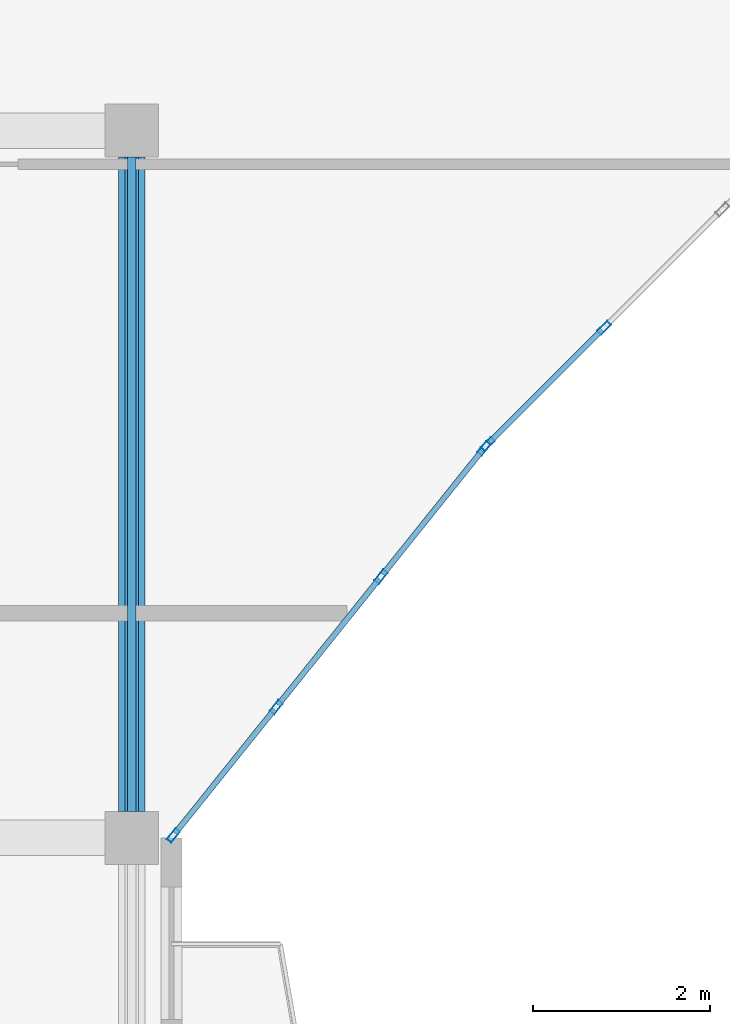
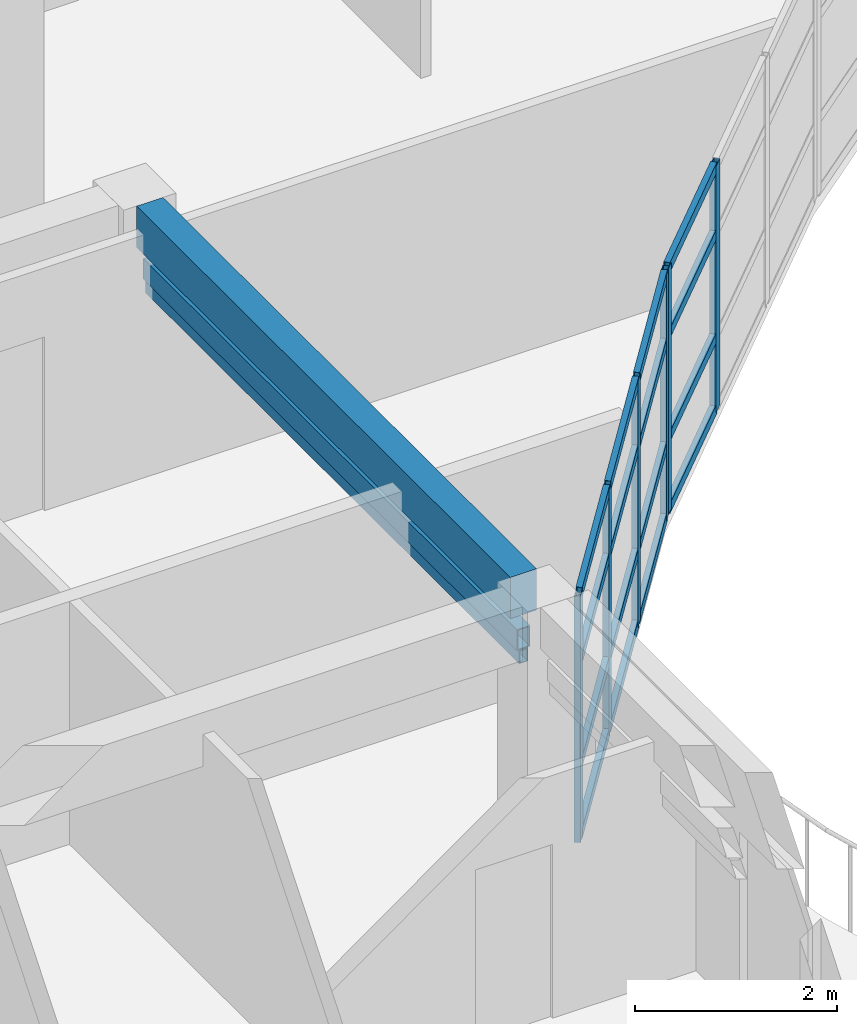
# One storey, part 7 of 76: 24 members, 1 beam, 2 elements without a shape of their own.
"""IFC4 building model written with IfcOpenShell, lengths in metres."""

import ifcopenshell
import ifcopenshell.guid

model = None  # the IFC model being written
_history = None  # IfcOwnerHistory: only IFC2X3 demands one
_inside = {}  # id of a spatial element -> (the spatial element, [elements in it])
_under = {}  # id of a project, library or spatial element -> (it, [spatial elements below it])
_declared = {}  # id of a project -> (the project, [libraries it declares])
_typed = {}  # id of a type object -> (the type object, [elements of that type])
_made_of = {}  # id of a material, layer set ... -> (it, [elements and type objects made of it])


def new_model(schema):
    """Start an empty IFC model of exactly this schema.

    Asked for "IFC4X3", IfcOpenShell would pick the latest addendum, in which some entities
    have other attributes; the version numbers below select the first issue.
    IFC2X3 requires an IfcOwnerHistory on every rooted entity: one is made here for all.
    """
    global model, _history
    if schema == "IFC4X3":
        model = ifcopenshell.file(schema_version=(4, 3, 0, 0))
    else:
        model = ifcopenshell.file(schema=schema)
    _inside.clear()
    _under.clear()
    _declared.clear()
    _typed.clear()
    _made_of.clear()
    _history = None
    if model.schema == "IFC2X3":
        org = make("IfcOrganization", Name="unknown")
        user = make(
            "IfcPersonAndOrganization",
            ThePerson=make("IfcPerson", FamilyName="unknown"),
            TheOrganization=org,
        )
        app = make(
            "IfcApplication",
            ApplicationDeveloper=org,
            Version="unknown",
            ApplicationFullName="unknown",
            ApplicationIdentifier="unknown",
        )
        _history = make(
            "IfcOwnerHistory",
            OwningUser=user,
            OwningApplication=app,
            ChangeAction="ADDED",
            CreationDate=0,
        )
    return model


def make(cls, **values):
    """One entity of the class cls with the attributes given. An attribute that is None is left unset."""
    return model.create_entity(
        cls, **{name: value for name, value in values.items() if value is not None}
    )


def rooted(cls, **values):
    """An entity with a GlobalId (a new one), such as an element, a storey or a relation."""
    return make(cls, GlobalId=ifcopenshell.guid.new(), OwnerHistory=_history, **values)


def si_unit(unit_type, name, prefix=None):
    """IfcSIUnit, for example si_unit("LENGTHUNIT", "METRE", prefix="MILLI")."""
    return make("IfcSIUnit", UnitType=unit_type, Prefix=prefix, Name=name)


def assignment(units):
    """IfcUnitAssignment: the units of a project."""
    return None if units is None else make("IfcUnitAssignment", Units=units)


def point(xyz):
    """IfcCartesianPoint."""
    return None if xyz is None else make("IfcCartesianPoint", Coordinates=xyz)


def direction(xyz):
    """IfcDirection."""
    return None if xyz is None else make("IfcDirection", DirectionRatios=xyz)


def frame(location, z_axis=None, x_axis=None):
    """IfcAxis2Placement3D, a coordinate frame: its origin and axes. An axis left out is left unset."""
    return make(
        "IfcAxis2Placement3D",
        Location=point(location),
        Axis=direction(z_axis),
        RefDirection=direction(x_axis),
    )


def frame_2d(location, x_axis=None):
    """IfcAxis2Placement2D, a coordinate frame in the plane: its origin and x axis."""
    return make(
        "IfcAxis2Placement2D", Location=point(location), RefDirection=direction(x_axis)
    )


def origin():
    """The frame at (0, 0, 0) with its axes left unset."""
    return frame((0.0, 0.0, 0.0))


def origin_2d():
    """The frame at (0, 0) in the plane with its x axis left unset."""
    return frame_2d((0.0, 0.0))


def place(relative_to, where):
    """IfcLocalPlacement: puts the frame where relative to a parent placement (None: the world)."""
    return make(
        "IfcLocalPlacement", PlacementRelTo=relative_to, RelativePlacement=where
    )


def context(
    kind, dimensions, precision=None, world=None, true_north=None, identifier=None
):
    """IfcGeometricRepresentationContext, for example the 3D "Model" context."""
    return make(
        "IfcGeometricRepresentationContext",
        ContextIdentifier=identifier,
        ContextType=kind,
        CoordinateSpaceDimension=dimensions,
        Precision=precision,
        WorldCoordinateSystem=world,
        TrueNorth=true_north,
    )


def subcontext(parent, identifier, kind, view, scale=None):
    """IfcGeometricRepresentationSubContext, for example "Body" below "Model"."""
    return make(
        "IfcGeometricRepresentationSubContext",
        ContextIdentifier=identifier,
        ContextType=kind,
        ParentContext=parent,
        TargetScale=scale,
        TargetView=view,
    )


def project(units=None, contexts=None):
    """IfcProject with its units and contexts."""
    return rooted(
        "IfcProject",
        Name="project",
        RepresentationContexts=contexts,
        UnitsInContext=assignment(units),
    )


def spatial(cls, under=None, at=None, **own):
    """A site, building, storey or space (cls), placed at a placement, below another one or the project."""
    s = rooted(cls, ObjectPlacement=at, **own)
    if under is not None:
        _under.setdefault(under.id(), (under, []))[1].append(s)
    return s


def profile(cls, at=None, kind="AREA", **sizes):
    """A parametric profile (cls). Its sizes go by their IFC names, for example OverallWidth=200.0."""
    return make(cls, ProfileType=kind, Position=at, **sizes)


def rectangle(**sizes):
    """IfcRectangleProfileDef."""
    return profile("IfcRectangleProfileDef", **sizes)


def hollow_rectangle(**sizes):
    """IfcRectangleHollowProfileDef."""
    return profile("IfcRectangleHollowProfileDef", **sizes)


def extrude(swept, where, along, depth):
    """IfcExtrudedAreaSolid: the profile swept, set in the frame where, extruded along a direction by depth."""
    return make(
        "IfcExtrudedAreaSolid",
        SweptArea=swept,
        Position=where,
        ExtrudedDirection=direction(along),
        Depth=depth,
    )


def shape(context_of_items, identifier, shape_type, items):
    """IfcShapeRepresentation: the items that make up one representation, for example the "Body"."""
    return make(
        "IfcShapeRepresentation",
        ContextOfItems=context_of_items,
        RepresentationIdentifier=identifier,
        RepresentationType=shape_type,
        Items=items,
    )


def material(Name=None, Category=None):
    """IfcMaterial."""
    return make("IfcMaterial", Name=Name, Category=Category)


def layer(
    of_material, thickness, ventilated=None, Name=None, Category=None, Priority=None
):
    """IfcMaterialLayer: one layer of a wall or slab, of a material (None: an air gap)."""
    return make(
        "IfcMaterialLayer",
        Material=of_material,
        LayerThickness=thickness,
        IsVentilated=ventilated,
        Name=Name,
        Category=Category,
        Priority=Priority,
    )


def layer_set(layers, Name=None):
    """IfcMaterialLayerSet."""
    return make("IfcMaterialLayerSet", MaterialLayers=layers, LayerSetName=Name)


def material_profile(
    of_material, cross_section, Name=None, Category=None, Priority=None
):
    """IfcMaterialProfile: a cross section and its material."""
    return make(
        "IfcMaterialProfile",
        Name=Name,
        Material=of_material,
        Profile=cross_section,
        Priority=Priority,
        Category=Category,
    )


def profile_set(profiles, Name=None, composite=None):
    """IfcMaterialProfileSet."""
    return make(
        "IfcMaterialProfileSet",
        Name=Name,
        MaterialProfiles=profiles,
        CompositeProfile=composite,
    )


def made_of(thing, what):
    """Note that an element or type object is made of a material, layer set ...; save() writes the relation."""
    if what is not None:
        _made_of.setdefault(what.id(), (what, []))[1].append(thing)
    return thing


def type_object(cls, material=None, **own):
    """A type object (cls), such as IfcWallType, which elements share."""
    return made_of(rooted(cls, **own), material)


def element(
    cls,
    number,
    at=None,
    inside=None,
    cuts=None,
    type_object=None,
    material=None,
    context=None,
    identifier="Body",
    shape_type=None,
    held_by="IfcProductDefinitionShape",
    body=None,
    shapes=None,
    **own,
):
    """One element of the class cls, such as IfcWall. Its Tag is "e" and its number.

    at: its placement. inside: the storey or other place that contains it. cuts: it is an
    opening in that element (IfcRelVoidsElement). A single representation is given by context,
    identifier, shape_type and body (its items); several are given by shapes. held_by: the class
    of the entity that holds the representations. save() writes the other relations.
    """
    e = rooted(cls, Tag="e%d" % number, ObjectPlacement=at, **own)
    if body is not None:
        shapes = [shape(context, identifier, shape_type, body)]
    if shapes is not None:
        e.Representation = make(held_by, Representations=shapes)
    if inside is not None:
        _inside.setdefault(inside.id(), (inside, []))[1].append(e)
    if cuts is not None:
        rooted(
            "IfcRelVoidsElement", RelatingBuildingElement=cuts, RelatedOpeningElement=e
        )
    if type_object is not None:
        _typed.setdefault(type_object.id(), (type_object, []))[1].append(e)
    return made_of(e, material)


def aggregate(whole, parts):
    """IfcRelAggregates: a whole, such as a stair, and the parts it consists of."""
    return rooted("IfcRelAggregates", RelatingObject=whole, RelatedObjects=parts)


def save(model, path):
    """Write the relations noted so far, then the file.

    IfcRelAggregates (storeys below a building ...), IfcRelContainedInSpatialStructure (elements
    in a storey), IfcRelDefinesByType, IfcRelAssociatesMaterial and IfcRelDeclares: one each for
    every whole, place, type object, material and project.
    """
    for whole, parts in _under.values():
        aggregate(whole, parts)
    for where, things in _inside.values():
        rooted(
            "IfcRelContainedInSpatialStructure",
            RelatedElements=things,
            RelatingStructure=where,
        )
    for kind, things in _typed.values():
        rooted("IfcRelDefinesByType", RelatedObjects=things, RelatingType=kind)
    for what, things in _made_of.values():
        rooted("IfcRelAssociatesMaterial", RelatedObjects=things, RelatingMaterial=what)
    for by, libraries in _declared.values():
        rooted("IfcRelDeclares", RelatingContext=by, RelatedDefinitions=libraries)
    model.write(path)


model = new_model("IFC4")

# Units and contexts
model_context = context("Model", 3, precision=1e-05, world=origin(), true_north=direction((0.0, 1.0)))
body_context = subcontext(model_context, "Body", "Model", "MODEL_VIEW")
ifc_project = project(units=[si_unit("LENGTHUNIT", "METRE"), si_unit("AREAUNIT", "SQUARE_METRE"), si_unit("VOLUMEUNIT", "CUBIC_METRE"), si_unit("PLANEANGLEUNIT", "RADIAN"), si_unit("MASSUNIT", "GRAM", prefix="KILO")], contexts=[model_context])

# Site, building, storey
site_placement = place(None, origin())
site = spatial("IfcSite", under=ifc_project, at=site_placement, CompositionType="ELEMENT")
building_placement = place(site_placement, origin())
building = spatial("IfcBuilding", under=site, at=building_placement, Name="Keldmere Railside Commons", CompositionType="ELEMENT")
storey_placement = place(building_placement, frame((0.0, 0.0, 13.760009765625)))
storey = spatial("IfcBuildingStorey", under=building, at=storey_placement, Name="L04", CompositionType="ELEMENT", Elevation=13.760009765625)

# Member
ifc_material_1 = material(Name="Steel F-36 (S355)", Category="steel")
ifc_material_profile_1 = material_profile(ifc_material_1, hollow_rectangle(XDim=0.14990234375, YDim=0.25, WallThickness=0.010009765625, at=origin_2d()), Name="RHS-250x150x10")
ifc_profile_set_1 = profile_set([ifc_material_profile_1], Name="Steel F-36 (S355)")
member_type_1 = type_object("IfcMemberType", Name="Balcony Continuous Planted Trough RHS250x150", PredefinedType="CHORD", material=ifc_profile_set_1)
member_1_placement = place(storey_placement, frame((63.550048828125, 88.300048828125, 2.4150390625), z_axis=(0.0, 1.0, 0.0), x_axis=(-1.0, 0.0, 0.0)))
element("IfcMember", 1, at=member_1_placement, inside=storey, type_object=member_type_1, Name="PLT-1 MEM-BPLT-0505", PredefinedType="CHORD", context=body_context, shape_type="SweptSolid", body=[
    extrude(hollow_rectangle(XDim=0.14990234375, YDim=0.25, WallThickness=0.010009765625, at=origin_2d()), origin(), (0.0, 0.0, 1.0), 7.39990234375),
])

# Beam
ifc_material_2 = material(Name="Concrete H-30 (C30/37)", Category="concrete")
ifc_material_profile_2 = material_profile(ifc_material_2, rectangle(XDim=0.300048828125, YDim=0.5, at=origin_2d()), Name="RC-300x500")
ifc_profile_set_2 = profile_set([ifc_material_profile_2], Name="Concrete H-30 (C30/37)")
beam_type = type_object("IfcBeamType", Name="Secondary Frame RC Beam 300x500", PredefinedType="BEAM", material=ifc_profile_set_2)
beam_placement = place(storey_placement, frame((63.550048828125, 88.300048828125, 2.949951171875), z_axis=(0.0, 1.0, 0.0), x_axis=(-1.0, 0.0, 0.0)))
element("IfcBeam", 2, at=beam_placement, inside=storey, type_object=beam_type, Name="BG-5 BM-L04-1637", PredefinedType="BEAM", context=body_context, shape_type="SweptSolid", body=[
    extrude(rectangle(XDim=0.300048828125, YDim=0.5, at=origin_2d()), origin(), (0.0, 0.0, 1.0), 7.39990234375),
])

# Member
ifc_material_profile_3 = material_profile(ifc_material_1, hollow_rectangle(XDim=0.10009765625, YDim=0.159912109375, WallThickness=0.008056640625, at=origin_2d()), Name="RHS-160x100x8")
ifc_profile_set_3 = profile_set([ifc_material_profile_3], Name="Steel F-36 (S355)")
member_type_2 = type_object("IfcMemberType", Name="Solar Brise-Soleil Louvre Fin RHS160x100", PredefinedType="STRUT", material=ifc_profile_set_3)
member_2_placement = place(storey_placement, frame((63.550048828125, 88.300048828125, 2.199951171875), z_axis=(0.0, 1.0, 0.0), x_axis=(-1.0, 0.0, 0.0)))
element("IfcMember", 3, at=member_2_placement, inside=storey, type_object=member_type_2, Name="BSF-1 MEM-BSF-0506", PredefinedType="STRUT", context=body_context, shape_type="SweptSolid", body=[
    extrude(hollow_rectangle(XDim=0.10009765625, YDim=0.159912109375, WallThickness=0.008056640625, at=origin_2d()), origin(), (0.0, 0.0, 1.0), 7.39990234375),
])

# Curtain wall, members
ifc_material_3 = material(Name="Thermally Broken Aluminium", Category="aluminium")
ifc_layer_1 = layer(ifc_material_3, 0.159912109375, Name="Court Chord Wintergarden CW 4800x2850")
ifc_layer_set_1 = layer_set([ifc_layer_1], Name="Thermally Broken Aluminium")
curtain_wall_type_1 = type_object("IfcCurtainWallType", Name="Court Chord Wintergarden CW 4800x2850", PredefinedType="NOTDEFINED", material=ifc_layer_set_1)
curtain_wall_1_placement = place(storey_placement, origin())
curtain_wall_1 = element("IfcCurtainWall", 4, at=curtain_wall_1_placement, inside=storey, type_object=curtain_wall_type_1, Name="CW-12 CW-L04-049", PredefinedType="NOTDEFINED")
ifc_material_profile_4 = material_profile(ifc_material_3, hollow_rectangle(XDim=0.06494140625, YDim=0.159912109375, WallThickness=0.00390625, at=origin_2d()), Name="ALU-MULL-65x160")
ifc_profile_set_4 = profile_set([ifc_material_profile_4], Name="Thermally Broken Aluminium")
member_type_3 = type_object("IfcMemberType", Name="Unitised Curtain Wall Mullion 65x160", PredefinedType="MULLION", material=ifc_profile_set_4)
member_3_placement = place(storey_placement, frame((67.53369140625, 92.404541015625, 0.0), z_axis=(0.0, 0.0, 1.0), x_axis=(0.780009172323, -0.625768080915, 0.0)))
member_3 = element("IfcMember", 5, at=member_3_placement, type_object=member_type_3, Name="CW-12 mullion 1", PredefinedType="MULLION", context=body_context, shape_type="SweptSolid", body=[
    extrude(hollow_rectangle(XDim=0.06494140625, YDim=0.159912109375, WallThickness=0.00390625, at=origin_2d()), origin(), (0.0, 0.0, 1.0), 2.97998046875),
])
member_4_placement = place(storey_placement, frame((66.369384765625, 90.953369140625, 0.0), z_axis=(0.0, 0.0, 1.0), x_axis=(0.780009172323, -0.625768080915, 0.0)))
member_4 = element("IfcMember", 6, at=member_4_placement, type_object=member_type_3, Name="CW-12 mullion 2", PredefinedType="MULLION", context=body_context, shape_type="SweptSolid", body=[
    extrude(hollow_rectangle(XDim=0.06494140625, YDim=0.159912109375, WallThickness=0.00390625, at=origin_2d()), origin(), (0.0, 0.0, 1.0), 2.97998046875),
])
member_5_placement = place(storey_placement, frame((65.1845703125, 89.4765625, 0.0), z_axis=(0.0, 0.0, 1.0), x_axis=(0.780009172323, -0.625768080915, 0.0)))
member_5 = element("IfcMember", 7, at=member_5_placement, type_object=member_type_3, Name="CW-12 mullion 3", PredefinedType="MULLION", context=body_context, shape_type="SweptSolid", body=[
    extrude(hollow_rectangle(XDim=0.06494140625, YDim=0.159912109375, WallThickness=0.00390625, at=origin_2d()), origin(), (0.0, 0.0, 1.0), 2.97998046875),
])
member_6_placement = place(storey_placement, frame((64.020263671875, 88.025390625, 0.0), z_axis=(0.0, 0.0, 1.0), x_axis=(0.780009172323, -0.625768080915, 0.0)))
member_6 = element("IfcMember", 8, at=member_6_placement, type_object=member_type_3, Name="CW-12 mullion 4", PredefinedType="MULLION", context=body_context, shape_type="SweptSolid", body=[
    extrude(hollow_rectangle(XDim=0.06494140625, YDim=0.159912109375, WallThickness=0.00390625, at=origin_2d()), origin(), (0.0, 0.0, 1.0), 2.97998046875),
])

ifc_layer_2 = layer(ifc_material_3, 0.159912109375, Name="Court Chord Wintergarden CW 5400x2850")
ifc_layer_set_2 = layer_set([ifc_layer_2], Name="Thermally Broken Aluminium")
curtain_wall_type_2 = type_object("IfcCurtainWallType", Name="Court Chord Wintergarden CW 5400x2850", PredefinedType="NOTDEFINED", material=ifc_layer_set_2)
curtain_wall_2_placement = place(storey_placement, origin())
curtain_wall_2 = element("IfcCurtainWall", 9, at=curtain_wall_2_placement, inside=storey, type_object=curtain_wall_type_2, Name="CW-13 CW-L04-050", PredefinedType="NOTDEFINED")
member_7_placement = place(storey_placement, frame((68.892578125, 93.7685546875, 0.0), z_axis=(0.0, 0.0, 1.0), x_axis=(0.707106781187, -0.707106781187, 0.0)))
member_7 = element("IfcMember", 10, at=member_7_placement, type_object=member_type_3, Name="CW-13 mullion 3", PredefinedType="MULLION", context=body_context, shape_type="SweptSolid", body=[
    extrude(hollow_rectangle(XDim=0.06494140625, YDim=0.159912109375, WallThickness=0.00390625, at=origin_2d()), origin(), (0.0, 0.0, 1.0), 2.97998046875),
])
member_8_placement = place(storey_placement, frame((67.576904296875, 92.452880859375, 0.0), z_axis=(0.0, 0.0, 1.0), x_axis=(0.707106781187, -0.707106781187, 0.0)))
member_8 = element("IfcMember", 11, at=member_8_placement, type_object=member_type_3, Name="CW-13 mullion 4", PredefinedType="MULLION", context=body_context, shape_type="SweptSolid", body=[
    extrude(hollow_rectangle(XDim=0.06494140625, YDim=0.159912109375, WallThickness=0.00390625, at=origin_2d()), origin(), (0.0, 0.0, 1.0), 2.97998046875),
])

# Member
ifc_material_profile_5 = material_profile(ifc_material_3, hollow_rectangle(XDim=0.06494140625, YDim=0.1201171875, WallThickness=0.00390625, at=origin_2d()), Name="ALU-TRAN-65x120")
ifc_profile_set_5 = profile_set([ifc_material_profile_5], Name="Thermally Broken Aluminium")
member_type_4 = type_object("IfcMemberType", Name="Unitised Curtain Wall Transom 65x120", PredefinedType="USERDEFINED", material=ifc_profile_set_5)
member_9_placement = place(storey_placement, frame((67.513427734375, 92.37939453125, 0.032470703125), z_axis=(-0.625805275091, -0.779979331565, 0.0), x_axis=(0.779979331565, -0.625805275091, 0.0)))
member_9 = element("IfcMember", 12, at=member_9_placement, type_object=member_type_4, Name="CW-12 transom 1.1", ObjectType="TRANSOM", PredefinedType="USERDEFINED", context=body_context, shape_type="SweptSolid", body=[
    extrude(hollow_rectangle(XDim=0.06494140625, YDim=0.1201171875, WallThickness=0.00390625, at=origin_2d()), origin(), (0.0, 0.0, 1.0), 1.795654296875),
])

member_10_placement = place(storey_placement, frame((67.513427734375, 92.37939453125, 0.89990234375), z_axis=(-0.625805275091, -0.779979331565, 0.0), x_axis=(0.779979331565, -0.625805275091, 0.0)))
member_10 = element("IfcMember", 13, at=member_10_placement, type_object=member_type_4, Name="CW-12 transom 1.2", ObjectType="TRANSOM", PredefinedType="USERDEFINED", context=body_context, shape_type="SweptSolid", body=[
    extrude(hollow_rectangle(XDim=0.06494140625, YDim=0.1201171875, WallThickness=0.00390625, at=origin_2d()), origin(), (0.0, 0.0, 1.0), 1.795654296875),
])

member_11_placement = place(storey_placement, frame((67.513427734375, 92.37939453125, 2.14990234375), z_axis=(-0.625805275091, -0.779979331565, 0.0), x_axis=(0.779979331565, -0.625805275091, 0.0)))
member_11 = element("IfcMember", 14, at=member_11_placement, type_object=member_type_4, Name="CW-12 transom 1.3", ObjectType="TRANSOM", PredefinedType="USERDEFINED", context=body_context, shape_type="SweptSolid", body=[
    extrude(hollow_rectangle(XDim=0.06494140625, YDim=0.1201171875, WallThickness=0.00390625, at=origin_2d()), origin(), (0.0, 0.0, 1.0), 1.795654296875),
])

member_12_placement = place(storey_placement, frame((67.513427734375, 92.37939453125, 2.947509765625), z_axis=(-0.625805275091, -0.779979331565, 0.0), x_axis=(0.779979331565, -0.625805275091, 0.0)))
member_12 = element("IfcMember", 15, at=member_12_placement, type_object=member_type_4, Name="CW-12 transom 1.4", ObjectType="TRANSOM", PredefinedType="USERDEFINED", context=body_context, shape_type="SweptSolid", body=[
    extrude(hollow_rectangle(XDim=0.06494140625, YDim=0.1201171875, WallThickness=0.00390625, at=origin_2d()), origin(), (0.0, 0.0, 1.0), 1.795654296875),
])

member_13_placement = place(storey_placement, frame((66.348876953125, 90.927978515625, 0.032470703125), z_axis=(-0.625688033635, -0.78007338409, 0.0), x_axis=(0.78007338409, -0.625688033635, 0.0)))
member_13 = element("IfcMember", 16, at=member_13_placement, type_object=member_type_4, Name="CW-12 transom 2.1", ObjectType="TRANSOM", PredefinedType="USERDEFINED", context=body_context, shape_type="SweptSolid", body=[
    extrude(hollow_rectangle(XDim=0.06494140625, YDim=0.1201171875, WallThickness=0.00390625, at=origin_2d()), origin(), (0.0, 0.0, 1.0), 1.828125),
])

member_14_placement = place(storey_placement, frame((66.348876953125, 90.927978515625, 0.89990234375), z_axis=(-0.625688033635, -0.78007338409, 0.0), x_axis=(0.78007338409, -0.625688033635, 0.0)))
member_14 = element("IfcMember", 17, at=member_14_placement, type_object=member_type_4, Name="CW-12 transom 2.2", ObjectType="TRANSOM", PredefinedType="USERDEFINED", context=body_context, shape_type="SweptSolid", body=[
    extrude(hollow_rectangle(XDim=0.06494140625, YDim=0.1201171875, WallThickness=0.00390625, at=origin_2d()), origin(), (0.0, 0.0, 1.0), 1.828125),
])

member_15_placement = place(storey_placement, frame((66.348876953125, 90.927978515625, 2.14990234375), z_axis=(-0.625688033635, -0.78007338409, 0.0), x_axis=(0.78007338409, -0.625688033635, 0.0)))
member_15 = element("IfcMember", 18, at=member_15_placement, type_object=member_type_4, Name="CW-12 transom 2.3", ObjectType="TRANSOM", PredefinedType="USERDEFINED", context=body_context, shape_type="SweptSolid", body=[
    extrude(hollow_rectangle(XDim=0.06494140625, YDim=0.1201171875, WallThickness=0.00390625, at=origin_2d()), origin(), (0.0, 0.0, 1.0), 1.828125),
])

member_16_placement = place(storey_placement, frame((66.348876953125, 90.927978515625, 2.947509765625), z_axis=(-0.625688033635, -0.78007338409, 0.0), x_axis=(0.78007338409, -0.625688033635, 0.0)))
member_16 = element("IfcMember", 19, at=member_16_placement, type_object=member_type_4, Name="CW-12 transom 2.4", ObjectType="TRANSOM", PredefinedType="USERDEFINED", context=body_context, shape_type="SweptSolid", body=[
    extrude(hollow_rectangle(XDim=0.06494140625, YDim=0.1201171875, WallThickness=0.00390625, at=origin_2d()), origin(), (0.0, 0.0, 1.0), 1.828125),
])

member_17_placement = place(storey_placement, frame((65.164306640625, 89.451416015625, 0.032470703125), z_axis=(-0.625722553313, -0.780045694992, 0.0), x_axis=(0.780045694992, -0.625722553313, 0.0)))
member_17 = element("IfcMember", 20, at=member_17_placement, type_object=member_type_4, Name="CW-12 transom 3.1", ObjectType="TRANSOM", PredefinedType="USERDEFINED", context=body_context, shape_type="SweptSolid", body=[
    extrude(hollow_rectangle(XDim=0.06494140625, YDim=0.1201171875, WallThickness=0.00390625, at=origin_2d()), origin(), (0.0, 0.0, 1.0), 1.795654296875),
])

member_18_placement = place(storey_placement, frame((65.164306640625, 89.451416015625, 0.89990234375), z_axis=(-0.625722553313, -0.780045694992, 0.0), x_axis=(0.780045694992, -0.625722553313, 0.0)))
member_18 = element("IfcMember", 21, at=member_18_placement, type_object=member_type_4, Name="CW-12 transom 3.2", ObjectType="TRANSOM", PredefinedType="USERDEFINED", context=body_context, shape_type="SweptSolid", body=[
    extrude(hollow_rectangle(XDim=0.06494140625, YDim=0.1201171875, WallThickness=0.00390625, at=origin_2d()), origin(), (0.0, 0.0, 1.0), 1.795654296875),
])

member_19_placement = place(storey_placement, frame((65.164306640625, 89.451416015625, 2.14990234375), z_axis=(-0.625722553313, -0.780045694992, 0.0), x_axis=(0.780045694992, -0.625722553313, 0.0)))
member_19 = element("IfcMember", 22, at=member_19_placement, type_object=member_type_4, Name="CW-12 transom 3.3", ObjectType="TRANSOM", PredefinedType="USERDEFINED", context=body_context, shape_type="SweptSolid", body=[
    extrude(hollow_rectangle(XDim=0.06494140625, YDim=0.1201171875, WallThickness=0.00390625, at=origin_2d()), origin(), (0.0, 0.0, 1.0), 1.795654296875),
])

member_20_placement = place(storey_placement, frame((65.164306640625, 89.451416015625, 2.947509765625), z_axis=(-0.625722553313, -0.780045694992, 0.0), x_axis=(0.780045694992, -0.625722553313, 0.0)))
member_20 = element("IfcMember", 23, at=member_20_placement, type_object=member_type_4, Name="CW-12 transom 3.4", ObjectType="TRANSOM", PredefinedType="USERDEFINED", context=body_context, shape_type="SweptSolid", body=[
    extrude(hollow_rectangle(XDim=0.06494140625, YDim=0.1201171875, WallThickness=0.00390625, at=origin_2d()), origin(), (0.0, 0.0, 1.0), 1.795654296875),
])

aggregate(curtain_wall_1, [member_3, member_4, member_5, member_6, member_9, member_10, member_11, member_12, member_13, member_14, member_15, member_16, member_17, member_18, member_19, member_20])

member_21_placement = place(storey_placement, frame((68.86962890625, 93.74560546875, 0.032470703125), z_axis=(-0.707174762418, -0.707038793419, 0.0), x_axis=(0.707038793419, -0.707174762418, 0.0)))
member_21 = element("IfcMember", 24, at=member_21_placement, type_object=member_type_4, Name="CW-13 transom 3.1", ObjectType="TRANSOM", PredefinedType="USERDEFINED", context=body_context, shape_type="SweptSolid", body=[
    extrude(hollow_rectangle(XDim=0.06494140625, YDim=0.1201171875, WallThickness=0.00390625, at=origin_2d()), origin(), (0.0, 0.0, 1.0), 1.795654296875),
])

member_22_placement = place(storey_placement, frame((68.86962890625, 93.74560546875, 0.89990234375), z_axis=(-0.707174762418, -0.707038793419, 0.0), x_axis=(0.707038793419, -0.707174762418, 0.0)))
member_22 = element("IfcMember", 25, at=member_22_placement, type_object=member_type_4, Name="CW-13 transom 3.2", ObjectType="TRANSOM", PredefinedType="USERDEFINED", context=body_context, shape_type="SweptSolid", body=[
    extrude(hollow_rectangle(XDim=0.06494140625, YDim=0.1201171875, WallThickness=0.00390625, at=origin_2d()), origin(), (0.0, 0.0, 1.0), 1.795654296875),
])

member_23_placement = place(storey_placement, frame((68.86962890625, 93.74560546875, 2.14990234375), z_axis=(-0.707174762418, -0.707038793419, 0.0), x_axis=(0.707038793419, -0.707174762418, 0.0)))
member_23 = element("IfcMember", 26, at=member_23_placement, type_object=member_type_4, Name="CW-13 transom 3.3", ObjectType="TRANSOM", PredefinedType="USERDEFINED", context=body_context, shape_type="SweptSolid", body=[
    extrude(hollow_rectangle(XDim=0.06494140625, YDim=0.1201171875, WallThickness=0.00390625, at=origin_2d()), origin(), (0.0, 0.0, 1.0), 1.795654296875),
])

member_24_placement = place(storey_placement, frame((68.86962890625, 93.74560546875, 2.947509765625), z_axis=(-0.707174762418, -0.707038793419, 0.0), x_axis=(0.707038793419, -0.707174762418, 0.0)))
member_24 = element("IfcMember", 27, at=member_24_placement, type_object=member_type_4, Name="CW-13 transom 3.4", ObjectType="TRANSOM", PredefinedType="USERDEFINED", context=body_context, shape_type="SweptSolid", body=[
    extrude(hollow_rectangle(XDim=0.06494140625, YDim=0.1201171875, WallThickness=0.00390625, at=origin_2d()), origin(), (0.0, 0.0, 1.0), 1.795654296875),
])

aggregate(curtain_wall_2, [member_7, member_8, member_21, member_22, member_23, member_24])

save(model, "model.ifc")
